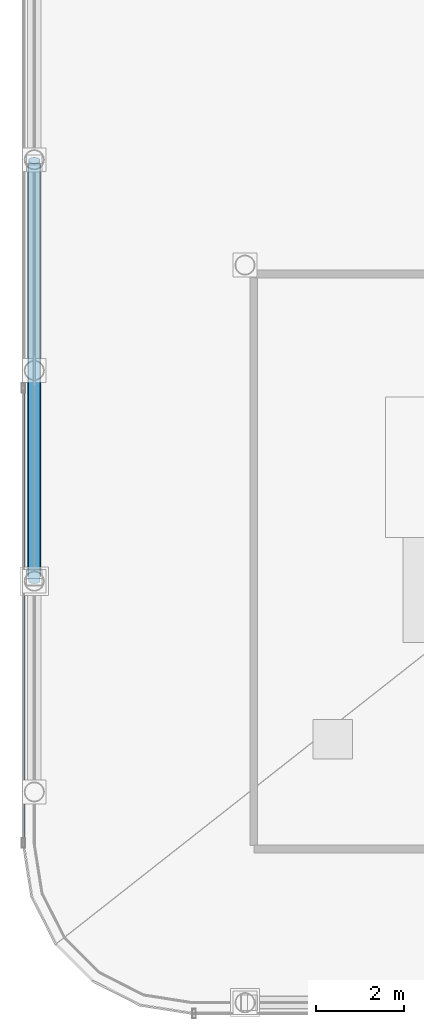
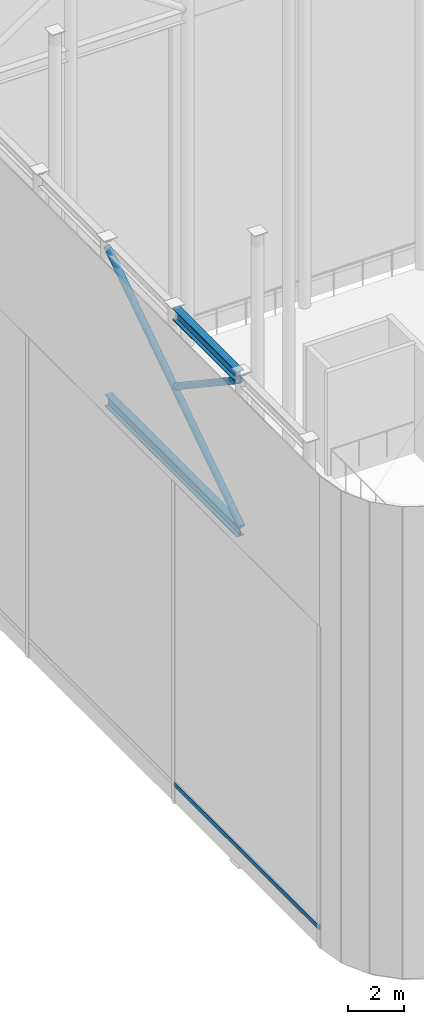
# One storey, part 7 of 42: 3 members, 2 beams, 1 element without a shape of its own.
"""IFC4 building model written with IfcOpenShell, lengths in metres."""

from ifc_helpers import new_model, si_unit, direction, frame, origin, origin_2d, place, context, subcontext, project, spatial, hollow_rectangle, hollow_circle, i_section, extrude, material, layer, layer_set, material_profile, profile_set, type_object, element, aggregate, save


model = new_model("IFC4")

# Units and contexts
model_context = context("Model", 3, precision=1e-05, world=origin(), true_north=direction((0.0, 1.0)))
body_context = subcontext(model_context, "Body", "Model", "MODEL_VIEW")
ifc_project = project(units=[si_unit("LENGTHUNIT", "METRE"), si_unit("AREAUNIT", "SQUARE_METRE"), si_unit("VOLUMEUNIT", "CUBIC_METRE"), si_unit("PLANEANGLEUNIT", "RADIAN"), si_unit("MASSUNIT", "GRAM", prefix="KILO")], contexts=[model_context])

# Site, building, storey
site_placement = place(None, origin())
site = spatial("IfcSite", under=ifc_project, at=site_placement, CompositionType="ELEMENT")
building_placement = place(site_placement, origin())
building = spatial("IfcBuilding", under=site, at=building_placement, Name="Kallvorn Hotel Tower", CompositionType="ELEMENT")
storey_placement = place(building_placement, frame((0.0, 0.0, 306.0)))
storey = spatial("IfcBuildingStorey", under=building, at=storey_placement, Name="ROOF", CompositionType="ELEMENT", Elevation=306.0)

# Beams
ifc_material_1 = material(Name="Structural steel S355JR", Category="steel")
ifc_material_profile_1 = material_profile(ifc_material_1, i_section(OverallWidth=0.300048828125, OverallDepth=0.5, WebThickness=0.014404296875, FlangeThickness=0.028076171875, at=origin_2d()), Name="HE 500 B")
ifc_profile_set_1 = profile_set([ifc_material_profile_1], Name="Structural steel S355JR")
beam_type = type_object("IfcBeamType", Name="BM_HE500B", PredefinedType="SPANDREL", material=ifc_profile_set_1)
beam_1_placement = place(storey_placement, frame((-28.800048828125, -14.300048828125, 21.030029296875), z_axis=(0.0, 1.0, 0.0), x_axis=(-1.0, 0.0, 0.0)))
element("IfcBeam", 1, at=beam_1_placement, inside=storey, type_object=beam_type, Name="CROWN FRAME Top Ring Beam 20", PredefinedType="SPANDREL", context=body_context, shape_type="SweptSolid", body=[
    extrude(i_section(OverallWidth=0.300048828125, OverallDepth=0.5, WebThickness=0.014404296875, FlangeThickness=0.028076171875, at=origin_2d()), origin(), (0.0, 0.0, 1.0), 4.60009765625),
])
beam_2_placement = place(storey_placement, frame((-28.800048828125, -14.300048828125, 14.35009765625), z_axis=(0.0, 1.0, 0.0), x_axis=(-1.0, 0.0, 0.0)))
element("IfcBeam", 2, at=beam_2_placement, inside=storey, type_object=beam_type, Name="CROWN FRAME Louvre Sill Tie Beam CW1", PredefinedType="SPANDREL", context=body_context, shape_type="SweptSolid", body=[
    extrude(i_section(OverallWidth=0.300048828125, OverallDepth=0.5, WebThickness=0.014404296875, FlangeThickness=0.028076171875, at=origin_2d()), origin(), (0.0, 0.0, 1.0), 9.400146484375),
])

# Curtain wall, member
ifc_material_2 = material(Name="Thermally broken black-anodised aluminium AA 6063-T6", Category="aluminium")
ifc_layer = layer(ifc_material_2, 0.18994140625)
ifc_layer_set = layer_set([ifc_layer], Name="CW_SYS_7_CROWN_DRUM")
curtain_wall_type = type_object("IfcCurtainWallType", Name="CW_SYS_7_CROWN_DRUM", PredefinedType="USERDEFINED", material=ifc_layer_set)
curtain_wall_placement = place(storey_placement, origin())
curtain_wall = element("IfcCurtainWall", 3, at=curtain_wall_placement, inside=storey, type_object=curtain_wall_type, Name="ROOF Dark-Glass Curtain Wall CW-ROOF-W1", ObjectType="UNITISED CURTAIN WALL", PredefinedType="USERDEFINED")
ifc_material_3 = material(Name="Thermally broken black-anodised aluminium AA 6063-T6", Category="aluminium")
ifc_material_profile_2 = material_profile(ifc_material_3, hollow_rectangle(XDim=0.070068359375, YDim=0.179931640625, WallThickness=0.00390625, at=origin_2d()), Name="TRN 180x70")
ifc_profile_set_2 = profile_set([ifc_material_profile_2], Name="Thermally broken black-anodised aluminium AA 6063-T6")
member_type_1 = type_object("IfcMemberType", Name="CW_TRANSOM_180x70", PredefinedType="USERDEFINED", material=ifc_profile_set_2)
member_1_placement = place(storey_placement, frame((-29.050048828125, -20.360107421875, 0.85009765625), z_axis=(0.0, 1.0, 0.0), x_axis=(-1.0, 0.0, 0.0)))
member_1 = element("IfcMember", 4, at=member_1_placement, type_object=member_type_1, Name="CW-ROOF-W1 Transom 00M", ObjectType="TRANSOM", PredefinedType="USERDEFINED", context=body_context, shape_type="SweptSolid", body=[
    extrude(hollow_rectangle(XDim=0.070068359375, YDim=0.179931640625, WallThickness=0.00390625, at=origin_2d()), origin(), (0.0, 0.0, 1.0), 10.320068359375),
])
aggregate(curtain_wall, [member_1])

# Members
ifc_material_4 = material(Name="Structural steel S355J2H", Category="steel")
ifc_material_profile_3 = material_profile(ifc_material_4, hollow_circle(Radius=0.136474609375, WallThickness=0.010009765625, at=origin_2d()), Name="CHS 273x10")
ifc_profile_set_3 = profile_set([ifc_material_profile_3], Name="Structural steel S355J2H")
member_type_2 = type_object("IfcMemberType", Name="MBR_CROWN_CHS273", PredefinedType="BRACE", material=ifc_profile_set_3)
member_2_placement = place(storey_placement, frame((-28.800048828125, -14.38330078125, 14.56103515625), z_axis=(0.0, 0.832043760824, 0.55470999637), x_axis=(-1.0, 0.0, 0.0)))
element("IfcMember", 5, at=member_2_placement, inside=storey, type_object=member_type_2, Name="CROWN FRAME Ring X-Brace Continuous Diagonal CW1", PredefinedType="BRACE", context=body_context, shape_type="SweptSolid", body=[
    extrude(hollow_circle(Radius=0.136474609375, WallThickness=0.010009765625, at=origin_2d()), origin(), (0.0, 0.0, 1.0), 11.497802734375),
])
member_3_placement = place(storey_placement, frame((-28.800048828125, -14.216796875, 20.827880859375), z_axis=(0.0, 0.832043245446, -0.554710769417), x_axis=(-1.0, 0.0, 0.0)))
element("IfcMember", 6, at=member_3_placement, inside=storey, type_object=member_type_2, Name="CROWN FRAME Ring X-Brace Split Half-Diagonal CW1-1", PredefinedType="BRACE", context=body_context, shape_type="SweptSolid", body=[
    extrude(hollow_circle(Radius=0.136474609375, WallThickness=0.010009765625, at=origin_2d()), origin(), (0.0, 0.0, 1.0), 5.32861328125),
])

save(model, "model.ifc")
